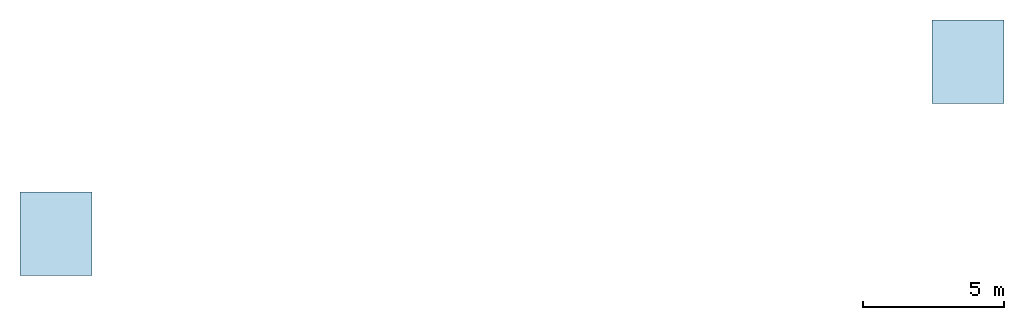
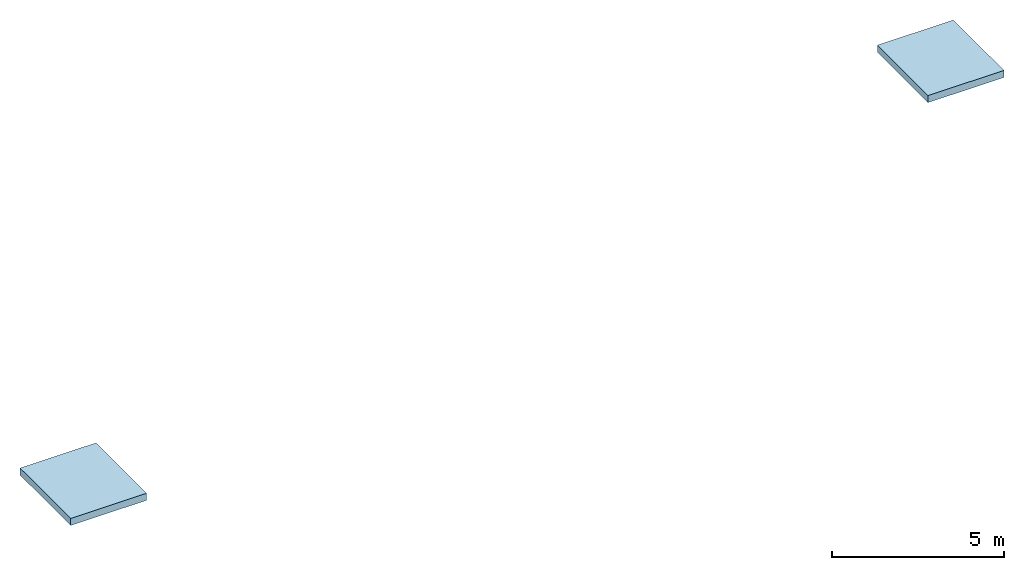
# One storey: 2 slabs.
"""IFC4 building model written with IfcOpenShell, lengths in metres."""

from ifc_helpers import new_model, si_unit, direction, frame, origin, place, context, subcontext, project, spatial, polyline, outline, extrude, material, layer, layer_set, type_object, element, save


model = new_model("IFC4")

# Units and contexts
model_context = context("Model", 3, precision=1e-05, world=origin(), true_north=direction((0.0, 1.0)))
body_context = subcontext(model_context, "Body", "Model", "MODEL_VIEW")
ifc_project = project(units=[si_unit("LENGTHUNIT", "METRE"), si_unit("AREAUNIT", "SQUARE_METRE"), si_unit("VOLUMEUNIT", "CUBIC_METRE"), si_unit("PLANEANGLEUNIT", "RADIAN"), si_unit("MASSUNIT", "GRAM", prefix="KILO")], contexts=[model_context])

# Site, building, storey
site_placement = place(None, origin())
site = spatial("IfcSite", under=ifc_project, at=site_placement, CompositionType="ELEMENT")
building_placement = place(site_placement, origin())
building = spatial("IfcBuilding", under=site, at=building_placement, Name="Maasbend Ring Residences", CompositionType="ELEMENT")
storey_placement = place(building_placement, frame((0.0, 0.0, 276.449951171875)))
storey = spatial("IfcBuildingStorey", under=building, at=storey_placement, Name="UPPER ROOF", CompositionType="ELEMENT", Elevation=276.449951171875)

# Slabs
ifc_material = material(Name="Concrete C40/50", Category="concrete")
ifc_layer = layer(ifc_material, 0.25)
ifc_layer_set = layer_set([ifc_layer], Name="Concrete C40/50")
slab_type = type_object("IfcSlabType", Name="LIFT HEAD HOUSE ROOF 250", PredefinedType="ROOF", material=ifc_layer_set)
slab_1_placement = place(storey_placement, origin())
element("IfcSlab", 1, at=slab_1_placement, inside=storey, type_object=slab_type, Name="Lift head house roof FF-E", PredefinedType="ROOF", context=body_context, shape_type="SweptSolid", body=[
    extrude(outline(polyline([(14.875, 1.574951171875), (17.425048828125, 1.574951171875), (17.425048828125, 4.52490234375), (14.875, 4.52490234375), (14.875, 1.574951171875)])), origin(), (0.0, 0.0, 1.0), 0.25),
])
slab_2_placement = place(storey_placement, origin())
element("IfcSlab", 2, at=slab_2_placement, inside=storey, type_object=slab_type, Name="Lift head house roof FF-W", PredefinedType="ROOF", context=body_context, shape_type="SweptSolid", body=[
    extrude(outline(polyline([(-14.875, -1.574951171875), (-17.425048828125, -1.574951171875), (-17.425048828125, -4.52490234375), (-14.875, -4.52490234375), (-14.875, -1.574951171875)])), origin(), (0.0, 0.0, 1.0), 0.25),
])

save(model, "model.ifc")
